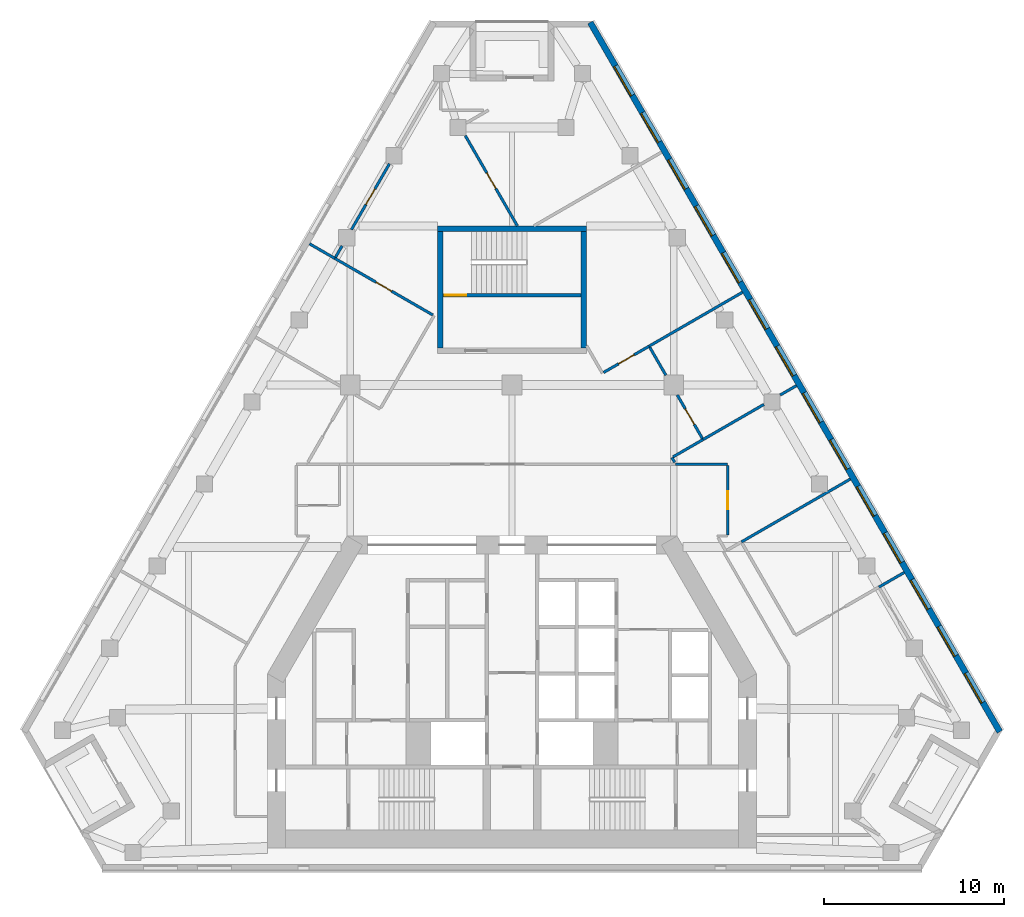
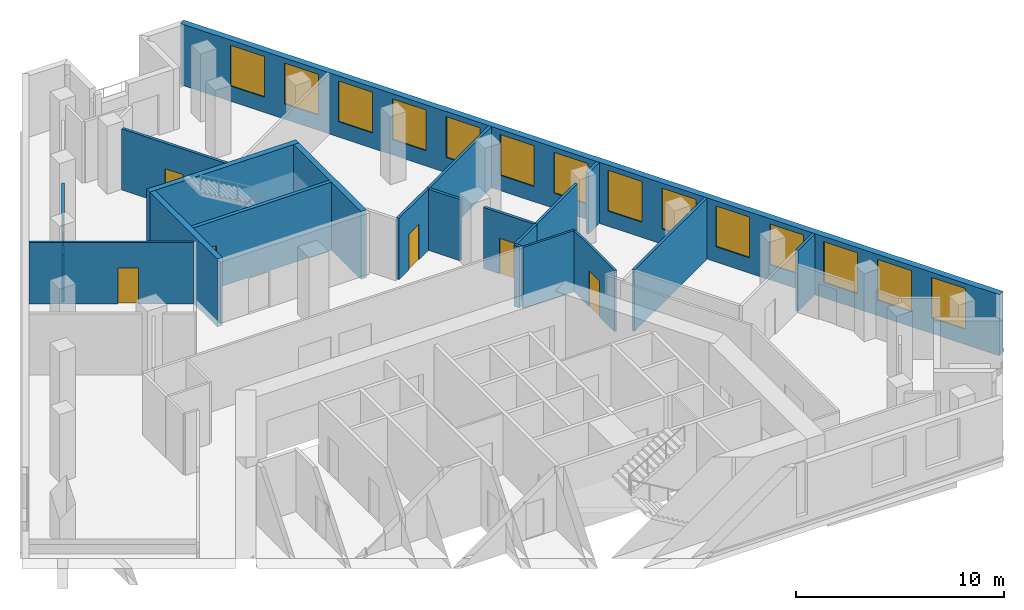
# One storey, part 7 of 9: 22 walls, 14 windows, 7 doors, 21 openings.
"""IFC4 building model written with IfcOpenShell, lengths in metres."""

from ifc_helpers import new_model, si_unit, direction, frame, frame_2d, origin, place, context, subcontext, project, spatial, rectangle, extrude, material, layer, layer_set, type_object, element, fill, save


model = new_model("IFC4")

# Units and contexts
model_context = context("Model", 3, precision=1e-05, world=origin(), true_north=direction((0.0, 1.0)))
body_context = subcontext(model_context, "Body", "Model", "MODEL_VIEW")
ifc_project = project(units=[si_unit("LENGTHUNIT", "METRE"), si_unit("AREAUNIT", "SQUARE_METRE"), si_unit("VOLUMEUNIT", "CUBIC_METRE"), si_unit("PLANEANGLEUNIT", "RADIAN"), si_unit("MASSUNIT", "GRAM", prefix="KILO")], contexts=[model_context])

# Site, building, storey
site_placement = place(None, origin())
site = spatial("IfcSite", under=ifc_project, at=site_placement, CompositionType="ELEMENT")
building_placement = place(site_placement, origin())
building = spatial("IfcBuilding", under=site, at=building_placement, Name="Fogline Exchange Tower", CompositionType="ELEMENT")
storey_placement = place(building_placement, frame((0.0, 0.0, 206.10009765625)))
storey = spatial("IfcBuildingStorey", under=building, at=storey_placement, Name="L46", CompositionType="ELEMENT", Elevation=206.10009765625)

# Wall, opening, door
ifc_material_1 = material(Name="Concrete C40", Category="concrete")
ifc_layer_1 = layer(ifc_material_1, 0.199951171875)
ifc_layer_set_1 = layer_set([ifc_layer_1], Name="CW20R")
wall_type_1 = type_object("IfcWallType", Name="CW20R", PredefinedType="SOLIDWALL", material=ifc_layer_set_1)
wall_1_placement = place(storey_placement, frame((-3.85009765625, 32.007080078125, -0.400146484375), z_axis=(0.0, 0.0, 1.0), x_axis=(1.0, 0.0, 0.0)))
wall_1 = element("IfcWall", 1, at=wall_1_placement, inside=storey, type_object=wall_type_1, Name="Stair enclosure wall ST3", PredefinedType="SOLIDWALL", context=body_context, shape_type="SweptSolid", body=[
    extrude(rectangle(XDim=7.7001953125, YDim=0.199951171875, at=frame_2d((3.85009765625, 0.0))), origin(), (0.0, 0.0, 1.0), 4.0),
])
opening_1_placement = place(wall_1_placement, frame((0.10009765625, 0.0, 0.39990234375)))
opening_1 = element("IfcOpeningElement", 2, at=opening_1_placement, cuts=wall_1, Name="Opening T15-C024", PredefinedType="OPENING", context=body_context, shape_type="SweptSolid", body=[
    extrude(rectangle(XDim=1.199951171875, YDim=2.10009765625, at=frame_2d((0.60009765625, 1.050048828125))), frame((0.0, 0.10986328125, 0.0), z_axis=(0.0, -1.0, 0.0), x_axis=(1.0, 0.0, 0.0)), (0.0, 0.0, 1.0), 0.219970703125),
])
ifc_material_2 = material(Name="Steel and timber fire door", Category="steel")
door_type_1 = type_object("IfcDoorType", Name="D-ST1", OperationType="SINGLE_SWING_LEFT", PredefinedType="DOOR", material=ifc_material_2)
door_1_placement = place(opening_1_placement, origin())
door_1 = element("IfcDoor", 3, at=door_1_placement, inside=storey, type_object=door_type_1, Name="Stair door ST3", OperationType="SINGLE_SWING_LEFT", OverallHeight=2.10009765625, OverallWidth=1.199951171875, PredefinedType="DOOR", context=body_context, shape_type="SweptSolid", body=[
    extrude(rectangle(XDim=1.199951171875, YDim=2.10009765625, at=frame_2d((0.60009765625, 1.050048828125))), frame((0.0, 0.02490234375, 0.0), z_axis=(0.0, -1.0, 0.0), x_axis=(1.0, 0.0, 0.0)), (0.0, 0.0, 1.0), 0.050048828125),
])
fill(opening_1, door_1)

# Walls
ifc_layer_2 = layer(ifc_material_1, 0.300048828125)
ifc_layer_set_2 = layer_set([ifc_layer_2], Name="CW30")
wall_type_2 = type_object("IfcWallType", Name="CW30", PredefinedType="SOLIDWALL", material=ifc_layer_set_2)
wall_2_placement = place(storey_placement, frame((-4.14990234375, 35.70703125, -0.400146484375), z_axis=(0.0, 0.0, 1.0), x_axis=(1.0, 0.0, 0.0)))
element("IfcWall", 4, at=wall_2_placement, inside=storey, type_object=wall_type_2, Name="Stair enclosure wall ST3", PredefinedType="SOLIDWALL", context=body_context, shape_type="SweptSolid", body=[
    extrude(rectangle(XDim=8.2998046875, YDim=0.300048828125, at=frame_2d((4.14990234375, 0.0))), origin(), (0.0, 0.0, 1.0), 4.0),
])
for number, where, z_axis, x_axis, name in (
    (5, (-4.0, 29.056884765625, -0.400146484375), (0.0, 0.0, 1.0), (0.0, 1.0, 0.0), "Stair enclosure wall ST3"),
    (6, (4.0, 29.056884765625, -0.400146484375), (0.0, 0.0, 1.0), (0.0, 1.0, 0.0), "Stair enclosure wall ST3"),
):
    element("IfcWall", number, at=place(storey_placement, frame(where, z_axis=z_axis, x_axis=x_axis)), inside=storey, type_object=wall_type_2, Name=name, PredefinedType="SOLIDWALL", context=body_context, shape_type="SweptSolid", body=[
        extrude(rectangle(XDim=6.5, YDim=0.300048828125, at=frame_2d((3.25, 0.0))), origin(), (0.0, 0.0, 1.0), 4.0),
    ])

# Wall, openings, windows
ifc_material_3 = material(Name="Brick masonry", Category="masonry")
ifc_layer_3 = layer(ifc_material_3, 0.340087890625)
ifc_layer_set_3 = layer_set([ifc_layer_3], Name="FW1")
wall_type_3 = type_object("IfcWallType", Name="FW1", PredefinedType="SOLIDWALL", material=ifc_layer_set_3)
wall_3_placement = place(storey_placement, frame((27.139404296875, 7.709228515625, 0.0), z_axis=(0.0, 0.0, 1.0), x_axis=(-0.500000533701, 0.866025095652, 0.0)))
wall_3 = element("IfcWall", 7, at=wall_3_placement, inside=storey, type_object=wall_type_3, Name="Brick wall L46 E", PredefinedType="SOLIDWALL", context=body_context, shape_type="SweptSolid", body=[
    extrude(rectangle(XDim=45.5732421875, YDim=0.340087890625, at=frame_2d((22.78662109375, 0.0))), origin(), (0.0, 0.0, 1.0), 3.599853515625),
])
opening_2_placement = place(wall_3_placement, frame((1.893310546875, 0.0, 0.89990234375)))
opening_2 = element("IfcOpeningElement", 8, at=opening_2_placement, cuts=wall_3, Name="Opening W1", PredefinedType="OPENING", context=body_context, shape_type="SweptSolid", body=[
    extrude(rectangle(XDim=1.885009765625, YDim=2.39990234375, at=frame_2d((0.9423828125, 1.199951171875))), frame((0.0, 0.18017578125, 0.0), z_axis=(0.0, -1.0, 0.0), x_axis=(1.0, 0.0, 0.0)), (0.0, 0.0, 1.0), 0.360107421875),
])
opening_3_placement = place(wall_3_placement, frame((4.893310546875, 0.0, 0.89990234375)))
opening_3 = element("IfcOpeningElement", 9, at=opening_3_placement, cuts=wall_3, Name="Opening W1", PredefinedType="OPENING", context=body_context, shape_type="SweptSolid", body=[
    extrude(rectangle(XDim=1.885009765625, YDim=2.39990234375, at=frame_2d((0.9423828125, 1.199951171875))), frame((0.0, 0.18017578125, 0.0), z_axis=(0.0, -1.0, 0.0), x_axis=(1.0, 0.0, 0.0)), (0.0, 0.0, 1.0), 0.360107421875),
])
opening_4_placement = place(wall_3_placement, frame((7.893310546875, 0.0, 0.89990234375)))
opening_4 = element("IfcOpeningElement", 10, at=opening_4_placement, cuts=wall_3, Name="Opening W1", PredefinedType="OPENING", context=body_context, shape_type="SweptSolid", body=[
    extrude(rectangle(XDim=1.885009765625, YDim=2.39990234375, at=frame_2d((0.9423828125, 1.199951171875))), frame((0.0, 0.18017578125, 0.0), z_axis=(0.0, -1.0, 0.0), x_axis=(1.0, 0.0, 0.0)), (0.0, 0.0, 1.0), 0.360107421875),
])
opening_5_placement = place(wall_3_placement, frame((10.893310546875, 0.0, 0.89990234375)))
opening_5 = element("IfcOpeningElement", 11, at=opening_5_placement, cuts=wall_3, Name="Opening W1", PredefinedType="OPENING", context=body_context, shape_type="SweptSolid", body=[
    extrude(rectangle(XDim=1.885009765625, YDim=2.39990234375, at=frame_2d((0.9423828125, 1.199951171875))), frame((0.0, 0.18017578125, 0.0), z_axis=(0.0, -1.0, 0.0), x_axis=(1.0, 0.0, 0.0)), (0.0, 0.0, 1.0), 0.360107421875),
])
opening_6_placement = place(wall_3_placement, frame((13.893310546875, 0.0, 0.89990234375)))
opening_6 = element("IfcOpeningElement", 12, at=opening_6_placement, cuts=wall_3, Name="Opening W1", PredefinedType="OPENING", context=body_context, shape_type="SweptSolid", body=[
    extrude(rectangle(XDim=1.885009765625, YDim=2.39990234375, at=frame_2d((0.9423828125, 1.199951171875))), frame((0.0, 0.18017578125, 0.0), z_axis=(0.0, -1.0, 0.0), x_axis=(1.0, 0.0, 0.0)), (0.0, 0.0, 1.0), 0.360107421875),
])
opening_7_placement = place(wall_3_placement, frame((16.893310546875, 0.0, 0.89990234375)))
opening_7 = element("IfcOpeningElement", 13, at=opening_7_placement, cuts=wall_3, Name="Opening W1", PredefinedType="OPENING", context=body_context, shape_type="SweptSolid", body=[
    extrude(rectangle(XDim=1.885009765625, YDim=2.39990234375, at=frame_2d((0.9423828125, 1.199951171875))), frame((0.0, 0.18017578125, 0.0), z_axis=(0.0, -1.0, 0.0), x_axis=(1.0, 0.0, 0.0)), (0.0, 0.0, 1.0), 0.360107421875),
])
opening_8_placement = place(wall_3_placement, frame((19.893310546875, 0.0, 0.89990234375)))
opening_8 = element("IfcOpeningElement", 14, at=opening_8_placement, cuts=wall_3, Name="Opening W1", PredefinedType="OPENING", context=body_context, shape_type="SweptSolid", body=[
    extrude(rectangle(XDim=1.885009765625, YDim=2.39990234375, at=frame_2d((0.9423828125, 1.199951171875))), frame((0.0, 0.18017578125, 0.0), z_axis=(0.0, -1.0, 0.0), x_axis=(1.0, 0.0, 0.0)), (0.0, 0.0, 1.0), 0.360107421875),
])
opening_9_placement = place(wall_3_placement, frame((22.893310546875, 0.0, 0.89990234375)))
opening_9 = element("IfcOpeningElement", 15, at=opening_9_placement, cuts=wall_3, Name="Opening W1", PredefinedType="OPENING", context=body_context, shape_type="SweptSolid", body=[
    extrude(rectangle(XDim=1.885009765625, YDim=2.39990234375, at=frame_2d((0.9423828125, 1.199951171875))), frame((0.0, 0.18017578125, 0.0), z_axis=(0.0, -1.0, 0.0), x_axis=(1.0, 0.0, 0.0)), (0.0, 0.0, 1.0), 0.360107421875),
])
opening_10_placement = place(wall_3_placement, frame((25.893310546875, 0.0, 0.89990234375)))
opening_10 = element("IfcOpeningElement", 16, at=opening_10_placement, cuts=wall_3, Name="Opening W1", PredefinedType="OPENING", context=body_context, shape_type="SweptSolid", body=[
    extrude(rectangle(XDim=1.885009765625, YDim=2.39990234375, at=frame_2d((0.9423828125, 1.199951171875))), frame((0.0, 0.18017578125, 0.0), z_axis=(0.0, -1.0, 0.0), x_axis=(1.0, 0.0, 0.0)), (0.0, 0.0, 1.0), 0.360107421875),
])
opening_11_placement = place(wall_3_placement, frame((28.893310546875, 0.0, 0.89990234375)))
opening_11 = element("IfcOpeningElement", 17, at=opening_11_placement, cuts=wall_3, Name="Opening W1", PredefinedType="OPENING", context=body_context, shape_type="SweptSolid", body=[
    extrude(rectangle(XDim=1.885009765625, YDim=2.39990234375, at=frame_2d((0.9423828125, 1.199951171875))), frame((0.0, 0.18017578125, 0.0), z_axis=(0.0, -1.0, 0.0), x_axis=(1.0, 0.0, 0.0)), (0.0, 0.0, 1.0), 0.360107421875),
])
opening_12_placement = place(wall_3_placement, frame((31.893310546875, 0.0, 0.89990234375)))
opening_12 = element("IfcOpeningElement", 18, at=opening_12_placement, cuts=wall_3, Name="Opening W1", PredefinedType="OPENING", context=body_context, shape_type="SweptSolid", body=[
    extrude(rectangle(XDim=1.885009765625, YDim=2.39990234375, at=frame_2d((0.9423828125, 1.199951171875))), frame((0.0, 0.18017578125, 0.0), z_axis=(0.0, -1.0, 0.0), x_axis=(1.0, 0.0, 0.0)), (0.0, 0.0, 1.0), 0.360107421875),
])
opening_13_placement = place(wall_3_placement, frame((34.893310546875, 0.0, 0.89990234375)))
opening_13 = element("IfcOpeningElement", 19, at=opening_13_placement, cuts=wall_3, Name="Opening W1", PredefinedType="OPENING", context=body_context, shape_type="SweptSolid", body=[
    extrude(rectangle(XDim=1.885009765625, YDim=2.39990234375, at=frame_2d((0.9423828125, 1.199951171875))), frame((0.0, 0.18017578125, 0.0), z_axis=(0.0, -1.0, 0.0), x_axis=(1.0, 0.0, 0.0)), (0.0, 0.0, 1.0), 0.360107421875),
])
opening_14_placement = place(wall_3_placement, frame((37.893310546875, 0.0, 0.89990234375)))
opening_14 = element("IfcOpeningElement", 20, at=opening_14_placement, cuts=wall_3, Name="Opening W1", PredefinedType="OPENING", context=body_context, shape_type="SweptSolid", body=[
    extrude(rectangle(XDim=1.885009765625, YDim=2.39990234375, at=frame_2d((0.9423828125, 1.199951171875))), frame((0.0, 0.18017578125, 0.0), z_axis=(0.0, -1.0, 0.0), x_axis=(1.0, 0.0, 0.0)), (0.0, 0.0, 1.0), 0.360107421875),
])
opening_15_placement = place(wall_3_placement, frame((40.893310546875, 0.0, 0.89990234375)))
opening_15 = element("IfcOpeningElement", 21, at=opening_15_placement, cuts=wall_3, Name="Opening W1", PredefinedType="OPENING", context=body_context, shape_type="SweptSolid", body=[
    extrude(rectangle(XDim=1.885009765625, YDim=2.39990234375, at=frame_2d((0.9423828125, 1.199951171875))), frame((0.0, 0.18017578125, 0.0), z_axis=(0.0, -1.0, 0.0), x_axis=(1.0, 0.0, 0.0)), (0.0, 0.0, 1.0), 0.360107421875),
])
ifc_material_4 = material(Name="Aluminium and glass", Category="aluminium")
window_type = type_object("IfcWindowType", Name="W1", PartitioningType="SINGLE_PANEL", PredefinedType="WINDOW", material=ifc_material_4)
window_1_placement = place(opening_2_placement, origin())
window_1 = element("IfcWindow", 22, at=window_1_placement, inside=storey, type_object=window_type, Name="W1 W1", OverallHeight=2.39990234375, OverallWidth=1.885009765625, PartitioningType="SINGLE_PANEL", PredefinedType="WINDOW", context=body_context, shape_type="SweptSolid", body=[
    extrude(rectangle(XDim=1.885009765625, YDim=2.39990234375, at=frame_2d((0.9423828125, 1.199951171875))), frame((0.0, 0.110107421875, 0.0), z_axis=(0.0, -1.0, 0.0), x_axis=(1.0, 0.0, 0.0)), (0.0, 0.0, 1.0), 0.06005859375),
])
fill(opening_2, window_1)
window_2_placement = place(opening_3_placement, origin())
window_2 = element("IfcWindow", 23, at=window_2_placement, inside=storey, type_object=window_type, Name="W1 W1", OverallHeight=2.39990234375, OverallWidth=1.885009765625, PartitioningType="SINGLE_PANEL", PredefinedType="WINDOW", context=body_context, shape_type="SweptSolid", body=[
    extrude(rectangle(XDim=1.885009765625, YDim=2.39990234375, at=frame_2d((0.9423828125, 1.199951171875))), frame((0.0, 0.110107421875, 0.0), z_axis=(0.0, -1.0, 0.0), x_axis=(1.0, 0.0, 0.0)), (0.0, 0.0, 1.0), 0.06005859375),
])
fill(opening_3, window_2)
window_3_placement = place(opening_4_placement, origin())
window_3 = element("IfcWindow", 24, at=window_3_placement, inside=storey, type_object=window_type, Name="W1 W1", OverallHeight=2.39990234375, OverallWidth=1.885009765625, PartitioningType="SINGLE_PANEL", PredefinedType="WINDOW", context=body_context, shape_type="SweptSolid", body=[
    extrude(rectangle(XDim=1.885009765625, YDim=2.39990234375, at=frame_2d((0.9423828125, 1.199951171875))), frame((0.0, 0.110107421875, 0.0), z_axis=(0.0, -1.0, 0.0), x_axis=(1.0, 0.0, 0.0)), (0.0, 0.0, 1.0), 0.06005859375),
])
fill(opening_4, window_3)
window_4_placement = place(opening_5_placement, origin())
window_4 = element("IfcWindow", 25, at=window_4_placement, inside=storey, type_object=window_type, Name="W1 W1", OverallHeight=2.39990234375, OverallWidth=1.885009765625, PartitioningType="SINGLE_PANEL", PredefinedType="WINDOW", context=body_context, shape_type="SweptSolid", body=[
    extrude(rectangle(XDim=1.885009765625, YDim=2.39990234375, at=frame_2d((0.9423828125, 1.199951171875))), frame((0.0, 0.110107421875, 0.0), z_axis=(0.0, -1.0, 0.0), x_axis=(1.0, 0.0, 0.0)), (0.0, 0.0, 1.0), 0.06005859375),
])
fill(opening_5, window_4)
window_5_placement = place(opening_6_placement, origin())
window_5 = element("IfcWindow", 26, at=window_5_placement, inside=storey, type_object=window_type, Name="W1 W1", OverallHeight=2.39990234375, OverallWidth=1.885009765625, PartitioningType="SINGLE_PANEL", PredefinedType="WINDOW", context=body_context, shape_type="SweptSolid", body=[
    extrude(rectangle(XDim=1.885009765625, YDim=2.39990234375, at=frame_2d((0.9423828125, 1.199951171875))), frame((0.0, 0.110107421875, 0.0), z_axis=(0.0, -1.0, 0.0), x_axis=(1.0, 0.0, 0.0)), (0.0, 0.0, 1.0), 0.06005859375),
])
fill(opening_6, window_5)
window_6_placement = place(opening_7_placement, origin())
window_6 = element("IfcWindow", 27, at=window_6_placement, inside=storey, type_object=window_type, Name="W1 W1", OverallHeight=2.39990234375, OverallWidth=1.885009765625, PartitioningType="SINGLE_PANEL", PredefinedType="WINDOW", context=body_context, shape_type="SweptSolid", body=[
    extrude(rectangle(XDim=1.885009765625, YDim=2.39990234375, at=frame_2d((0.9423828125, 1.199951171875))), frame((0.0, 0.110107421875, 0.0), z_axis=(0.0, -1.0, 0.0), x_axis=(1.0, 0.0, 0.0)), (0.0, 0.0, 1.0), 0.06005859375),
])
fill(opening_7, window_6)
window_7_placement = place(opening_8_placement, origin())
window_7 = element("IfcWindow", 28, at=window_7_placement, inside=storey, type_object=window_type, Name="W1 W1", OverallHeight=2.39990234375, OverallWidth=1.885009765625, PartitioningType="SINGLE_PANEL", PredefinedType="WINDOW", context=body_context, shape_type="SweptSolid", body=[
    extrude(rectangle(XDim=1.885009765625, YDim=2.39990234375, at=frame_2d((0.9423828125, 1.199951171875))), frame((0.0, 0.110107421875, 0.0), z_axis=(0.0, -1.0, 0.0), x_axis=(1.0, 0.0, 0.0)), (0.0, 0.0, 1.0), 0.06005859375),
])
fill(opening_8, window_7)
window_8_placement = place(opening_9_placement, origin())
window_8 = element("IfcWindow", 29, at=window_8_placement, inside=storey, type_object=window_type, Name="W1 W1", OverallHeight=2.39990234375, OverallWidth=1.885009765625, PartitioningType="SINGLE_PANEL", PredefinedType="WINDOW", context=body_context, shape_type="SweptSolid", body=[
    extrude(rectangle(XDim=1.885009765625, YDim=2.39990234375, at=frame_2d((0.9423828125, 1.199951171875))), frame((0.0, 0.110107421875, 0.0), z_axis=(0.0, -1.0, 0.0), x_axis=(1.0, 0.0, 0.0)), (0.0, 0.0, 1.0), 0.06005859375),
])
fill(opening_9, window_8)
window_9_placement = place(opening_10_placement, origin())
window_9 = element("IfcWindow", 30, at=window_9_placement, inside=storey, type_object=window_type, Name="W1 W1", OverallHeight=2.39990234375, OverallWidth=1.885009765625, PartitioningType="SINGLE_PANEL", PredefinedType="WINDOW", context=body_context, shape_type="SweptSolid", body=[
    extrude(rectangle(XDim=1.885009765625, YDim=2.39990234375, at=frame_2d((0.9423828125, 1.199951171875))), frame((0.0, 0.110107421875, 0.0), z_axis=(0.0, -1.0, 0.0), x_axis=(1.0, 0.0, 0.0)), (0.0, 0.0, 1.0), 0.06005859375),
])
fill(opening_10, window_9)
window_10_placement = place(opening_11_placement, origin())
window_10 = element("IfcWindow", 31, at=window_10_placement, inside=storey, type_object=window_type, Name="W1 W1", OverallHeight=2.39990234375, OverallWidth=1.885009765625, PartitioningType="SINGLE_PANEL", PredefinedType="WINDOW", context=body_context, shape_type="SweptSolid", body=[
    extrude(rectangle(XDim=1.885009765625, YDim=2.39990234375, at=frame_2d((0.9423828125, 1.199951171875))), frame((0.0, 0.110107421875, 0.0), z_axis=(0.0, -1.0, 0.0), x_axis=(1.0, 0.0, 0.0)), (0.0, 0.0, 1.0), 0.06005859375),
])
fill(opening_11, window_10)
window_11_placement = place(opening_12_placement, origin())
window_11 = element("IfcWindow", 32, at=window_11_placement, inside=storey, type_object=window_type, Name="W1 W1", OverallHeight=2.39990234375, OverallWidth=1.885009765625, PartitioningType="SINGLE_PANEL", PredefinedType="WINDOW", context=body_context, shape_type="SweptSolid", body=[
    extrude(rectangle(XDim=1.885009765625, YDim=2.39990234375, at=frame_2d((0.9423828125, 1.199951171875))), frame((0.0, 0.110107421875, 0.0), z_axis=(0.0, -1.0, 0.0), x_axis=(1.0, 0.0, 0.0)), (0.0, 0.0, 1.0), 0.06005859375),
])
fill(opening_12, window_11)
window_12_placement = place(opening_13_placement, origin())
window_12 = element("IfcWindow", 33, at=window_12_placement, inside=storey, type_object=window_type, Name="W1 W1", OverallHeight=2.39990234375, OverallWidth=1.885009765625, PartitioningType="SINGLE_PANEL", PredefinedType="WINDOW", context=body_context, shape_type="SweptSolid", body=[
    extrude(rectangle(XDim=1.885009765625, YDim=2.39990234375, at=frame_2d((0.9423828125, 1.199951171875))), frame((0.0, 0.110107421875, 0.0), z_axis=(0.0, -1.0, 0.0), x_axis=(1.0, 0.0, 0.0)), (0.0, 0.0, 1.0), 0.06005859375),
])
fill(opening_13, window_12)
window_13_placement = place(opening_14_placement, origin())
window_13 = element("IfcWindow", 34, at=window_13_placement, inside=storey, type_object=window_type, Name="W1 W1", OverallHeight=2.39990234375, OverallWidth=1.885009765625, PartitioningType="SINGLE_PANEL", PredefinedType="WINDOW", context=body_context, shape_type="SweptSolid", body=[
    extrude(rectangle(XDim=1.885009765625, YDim=2.39990234375, at=frame_2d((0.9423828125, 1.199951171875))), frame((0.0, 0.110107421875, 0.0), z_axis=(0.0, -1.0, 0.0), x_axis=(1.0, 0.0, 0.0)), (0.0, 0.0, 1.0), 0.06005859375),
])
fill(opening_14, window_13)
window_14_placement = place(opening_15_placement, origin())
window_14 = element("IfcWindow", 35, at=window_14_placement, inside=storey, type_object=window_type, Name="W1 W1", OverallHeight=2.39990234375, OverallWidth=1.885009765625, PartitioningType="SINGLE_PANEL", PredefinedType="WINDOW", context=body_context, shape_type="SweptSolid", body=[
    extrude(rectangle(XDim=1.885009765625, YDim=2.39990234375, at=frame_2d((0.9423828125, 1.199951171875))), frame((0.0, 0.110107421875, 0.0), z_axis=(0.0, -1.0, 0.0), x_axis=(1.0, 0.0, 0.0)), (0.0, 0.0, 1.0), 0.06005859375),
])
fill(opening_15, window_14)

# Wall
ifc_material_5 = material(Name="Plasterboard corridor partition with mineral wool, 2 layers each side")
ifc_layer_4 = layer(ifc_material_5, 0.125)
ifc_layer_set_4 = layer_set([ifc_layer_4], Name="PW2")
wall_type_4 = type_object("IfcWallType", Name="PW2", PredefinedType="PARTITIONING", material=ifc_layer_set_4)
wall_4_placement = place(storey_placement, frame((9.108154296875, 22.60009765625, 0.0), z_axis=(0.0, 0.0, 1.0), x_axis=(1.0, 0.0, 0.0)))
element("IfcWall", 36, at=wall_4_placement, inside=storey, type_object=wall_type_4, Name="wall-L46-W004", PredefinedType="PARTITIONING", context=body_context, shape_type="SweptSolid", body=[
    extrude(rectangle(XDim=2.891845703125, YDim=0.125, at=frame_2d((1.44580078125, 0.0))), origin(), (0.0, 0.0, 1.0), 3.599853515625),
])

# Wall, opening, door
wall_5_placement = place(storey_placement, frame((12.0, 22.53759765625, 0.0), z_axis=(0.0, 0.0, 1.0), x_axis=(0.0, -1.0, 0.0)))
wall_5 = element("IfcWall", 37, at=wall_5_placement, inside=storey, type_object=wall_type_4, Name="wall-L46-W005", PredefinedType="PARTITIONING", context=body_context, shape_type="SweptSolid", body=[
    extrude(rectangle(XDim=3.875, YDim=0.125, at=frame_2d((1.9375, 0.0))), origin(), (0.0, 0.0, 1.0), 3.599853515625),
])
opening_16_placement = place(wall_5_placement, frame((1.4375, 0.0, 0.0)))
opening_16 = element("IfcOpeningElement", 38, at=opening_16_placement, cuts=wall_5, Name="Opening T15-D002", PredefinedType="OPENING", context=body_context, shape_type="SweptSolid", body=[
    extrude(rectangle(XDim=1.0, YDim=2.10009765625, at=frame_2d((0.5, 1.050048828125))), frame((0.0, 0.072509765625, 0.0), z_axis=(0.0, -1.0, 0.0), x_axis=(1.0, 0.0, 0.0)), (0.0, 0.0, 1.0), 0.14501953125),
])
ifc_material_6 = material(Name="Fire-rated timber door leaf with steel frame", Category="steel")
door_type_2 = type_object("IfcDoorType", Name="D3", OperationType="SINGLE_SWING_LEFT", PredefinedType="DOOR", material=ifc_material_6)
door_2_placement = place(opening_16_placement, origin())
door_2 = element("IfcDoor", 39, at=door_2_placement, inside=storey, type_object=door_type_2, Name="door-L46-D002", OperationType="SINGLE_SWING_LEFT", OverallHeight=2.10009765625, OverallWidth=1.0, PredefinedType="DOOR", context=body_context, shape_type="SweptSolid", body=[
    extrude(rectangle(XDim=1.0, YDim=2.10009765625, at=frame_2d((0.5, 1.050048828125))), frame((0.0, 0.02490234375, 0.0), z_axis=(0.0, -1.0, 0.0), x_axis=(1.0, 0.0, 0.0)), (0.0, 0.0, 1.0), 0.050048828125),
])
fill(opening_16, door_2)

# Walls
ifc_material_7 = material(Name="Plasterboard demising partition with mineral wool and acoustic board")
ifc_layer_5 = layer(ifc_material_7, 0.14990234375)
ifc_layer_set_5 = layer_set([ifc_layer_5], Name="PW3")
wall_type_5 = type_object("IfcWallType", Name="PW3", PredefinedType="PARTITIONING", material=ifc_layer_set_5)
wall_6_placement = place(storey_placement, frame((10.6279296875, 23.967529296875, 0.0), z_axis=(0.0, 0.0, 1.0), x_axis=(0.866020486807, 0.500008516358, 0.0)))
element("IfcWall", 40, at=wall_6_placement, inside=storey, type_object=wall_type_5, Name="wall-L46-W016", PredefinedType="PARTITIONING", context=body_context, shape_type="SweptSolid", body=[
    extrude(rectangle(XDim=3.91552734375, YDim=0.14990234375, at=frame_2d((1.957763671875, 0.0))), origin(), (0.0, 0.0, 1.0), 3.599853515625),
])
wall_7_placement = place(storey_placement, frame((14.918701171875, 26.44482421875, 0.0), z_axis=(0.0, 0.0, 1.0), x_axis=(0.866065051207, 0.49993132236, 0.0)))
element("IfcWall", 41, at=wall_7_placement, inside=storey, type_object=wall_type_5, Name="wall-L46-W017", PredefinedType="PARTITIONING", context=body_context, shape_type="SweptSolid", body=[
    extrude(rectangle(XDim=1.045654296875, YDim=0.14990234375, at=frame_2d((0.52294921875, 0.0))), origin(), (0.0, 0.0, 1.0), 3.599853515625),
])
wall_8_placement = place(storey_placement, frame((9.05029296875, 22.700439453125, 0.0), z_axis=(0.0, 0.0, 1.0), x_axis=(-0.500224850148, 0.865895547566, 0.0)))
element("IfcWall", 42, at=wall_8_placement, inside=storey, type_object=wall_type_5, Name="wall-L46-W018", PredefinedType="PARTITIONING", context=body_context, shape_type="SweptSolid", body=[
    extrude(rectangle(XDim=0.308349609375, YDim=0.14990234375, at=frame_2d((0.154296875, 0.0))), origin(), (0.0, 0.0, 1.0), 3.599853515625),
])
wall_9_placement = place(storey_placement, frame((8.9609375, 23.005126953125, 0.0), z_axis=(0.0, 0.0, 1.0), x_axis=(0.866033512162, 0.499985955615, 0.0)))
element("IfcWall", 43, at=wall_9_placement, inside=storey, type_object=wall_type_5, Name="wall-L46-W019", PredefinedType="PARTITIONING", context=body_context, shape_type="SweptSolid", body=[
    extrude(rectangle(XDim=1.9248046875, YDim=0.14990234375, at=frame_2d((0.96240234375, 0.0))), origin(), (0.0, 0.0, 1.0), 3.599853515625),
])
wall_10_placement = place(storey_placement, frame((18.82421875, 21.771484375, 0.0), z_axis=(0.0, 0.0, 1.0), x_axis=(-0.866028190633, -0.499995173006, 0.0)))
element("IfcWall", 44, at=wall_10_placement, inside=storey, type_object=wall_type_5, Name="wall-L46-W022", PredefinedType="PARTITIONING", context=body_context, shape_type="SweptSolid", body=[
    extrude(rectangle(XDim=7.0, YDim=0.14990234375, at=frame_2d((3.5, 0.0))), origin(), (0.0, 0.0, 1.0), 3.599853515625),
])
wall_11_placement = place(storey_placement, frame((7.6279296875, 29.163818359375, 0.0), z_axis=(0.0, 0.0, 1.0), x_axis=(0.866031096941, 0.499990139034, 0.0)))
element("IfcWall", 45, at=wall_11_placement, inside=storey, type_object=wall_type_5, Name="wall-L46-W023", PredefinedType="PARTITIONING", context=body_context, shape_type="SweptSolid", body=[
    extrude(rectangle(XDim=6.0, YDim=0.14990234375, at=frame_2d((3.0, 0.0))), origin(), (0.0, 0.0, 1.0), 3.599853515625),
])

# Wall, opening, door
wall_12_placement = place(storey_placement, frame((10.590576171875, 24.03271484375, 0.0), z_axis=(0.0, 0.0, 1.0), x_axis=(-0.500042966044, 0.866000595906, 0.0)))
wall_12 = element("IfcWall", 46, at=wall_12_placement, inside=storey, type_object=wall_type_5, Name="wall-L46-W024", PredefinedType="PARTITIONING", context=body_context, shape_type="SweptSolid", body=[
    extrude(rectangle(XDim=2.791259765625, YDim=0.14990234375, at=frame_2d((1.3955078125, 0.0))), origin(), (0.0, 0.0, 1.0), 3.599853515625),
])
opening_17_placement = place(wall_12_placement, frame((0.895751953125, 0.0, 0.0)))
opening_17 = element("IfcOpeningElement", 47, at=opening_17_placement, cuts=wall_12, Name="Opening T15-D007", PredefinedType="OPENING", context=body_context, shape_type="SweptSolid", body=[
    extrude(rectangle(XDim=1.0, YDim=2.10009765625, at=frame_2d((0.5, 1.050048828125))), frame((0.0, 0.0849609375, 0.0), z_axis=(0.0, -1.0, 0.0), x_axis=(1.0, 0.0, 0.0)), (0.0, 0.0, 1.0), 0.169921875),
])
door_3_placement = place(opening_17_placement, frame((1.0, 0.0, 0.0), z_axis=(0.0, 0.0, 1.0), x_axis=(-1.0, 0.0, 0.0)))
door_3 = element("IfcDoor", 48, at=door_3_placement, inside=storey, type_object=door_type_2, Name="door-L46-D007", OperationType="SINGLE_SWING_RIGHT", OverallHeight=2.10009765625, OverallWidth=1.0, PredefinedType="DOOR", context=body_context, shape_type="SweptSolid", body=[
    extrude(rectangle(XDim=1.0, YDim=2.10009765625, at=frame_2d((0.5, 1.050048828125))), frame((0.0, 0.02490234375, 0.0), z_axis=(0.0, -1.0, 0.0), x_axis=(1.0, 0.0, 0.0)), (0.0, 0.0, 1.0), 0.050048828125),
])
fill(opening_17, door_3)

# Wall
wall_13_placement = place(storey_placement, frame((8.559814453125, 27.550048828125, 0.0), z_axis=(0.0, 0.0, 1.0), x_axis=(-0.500088797182, 0.865974130637, 0.0)))
element("IfcWall", 49, at=wall_13_placement, inside=storey, type_object=wall_type_5, Name="wall-L46-W025", PredefinedType="PARTITIONING", context=body_context, shape_type="SweptSolid", body=[
    extrude(rectangle(XDim=1.788330078125, YDim=0.14990234375, at=frame_2d((0.89404296875, 0.0))), origin(), (0.0, 0.0, 1.0), 3.599853515625),
])

# Wall, opening, door
wall_14_placement = place(storey_placement, frame((7.6279296875, 29.163818359375, 0.0), z_axis=(0.0, 0.0, 1.0), x_axis=(-0.865989585315, -0.500062034277, 0.0)))
wall_14 = element("IfcWall", 50, at=wall_14_placement, inside=storey, type_object=wall_type_5, Name="wall-L46-W027", PredefinedType="PARTITIONING", context=body_context, shape_type="SweptSolid", body=[
    extrude(rectangle(XDim=2.925048828125, YDim=0.14990234375, at=frame_2d((1.46240234375, 0.0))), origin(), (0.0, 0.0, 1.0), 3.599853515625),
])
opening_18_placement = place(wall_14_placement, frame((0.96240234375, 0.0, 0.0)))
opening_18 = element("IfcOpeningElement", 51, at=opening_18_placement, cuts=wall_14, Name="Opening T15-D008", PredefinedType="OPENING", context=body_context, shape_type="SweptSolid", body=[
    extrude(rectangle(XDim=1.0, YDim=2.10009765625, at=frame_2d((0.5, 1.050048828125))), frame((0.0, 0.0849609375, 0.0), z_axis=(0.0, -1.0, 0.0), x_axis=(1.0, 0.0, 0.0)), (0.0, 0.0, 1.0), 0.169921875),
])
door_4_placement = place(opening_18_placement, frame((1.0, 0.0, 0.0), z_axis=(0.0, 0.0, 1.0), x_axis=(-1.0, 0.0, 0.0)))
door_4 = element("IfcDoor", 52, at=door_4_placement, inside=storey, type_object=door_type_2, Name="door-L46-D008", OperationType="SINGLE_SWING_RIGHT", OverallHeight=2.10009765625, OverallWidth=1.0, PredefinedType="DOOR", context=body_context, shape_type="SweptSolid", body=[
    extrude(rectangle(XDim=1.0, YDim=2.10009765625, at=frame_2d((0.5, 1.050048828125))), frame((0.0, 0.02490234375, 0.0), z_axis=(0.0, -1.0, 0.0), x_axis=(1.0, 0.0, 0.0)), (0.0, 0.0, 1.0), 0.050048828125),
])
fill(opening_18, door_4)

wall_15_placement = place(storey_placement, frame((0.299560546875, 35.85693359375, 0.0), z_axis=(0.0, 0.0, 1.0), x_axis=(-0.499971603551, 0.866041797861, 0.0)))
wall_15 = element("IfcWall", 53, at=wall_15_placement, inside=storey, type_object=wall_type_5, Name="wall-L46-W029", PredefinedType="PARTITIONING", context=body_context, shape_type="SweptSolid", body=[
    extrude(rectangle(XDim=5.796142578125, YDim=0.14990234375, at=frame_2d((2.89794921875, 0.0))), origin(), (0.0, 0.0, 1.0), 3.599853515625),
])
opening_19_placement = place(wall_15_placement, frame((2.398193359375, 0.0, 0.0)))
opening_19 = element("IfcOpeningElement", 54, at=opening_19_placement, cuts=wall_15, Name="Opening T15-D009", PredefinedType="OPENING", context=body_context, shape_type="SweptSolid", body=[
    extrude(rectangle(XDim=1.0, YDim=2.10009765625, at=frame_2d((0.5, 1.050048828125))), frame((0.0, 0.0849609375, 0.0), z_axis=(0.0, -1.0, 0.0), x_axis=(1.0, 0.0, 0.0)), (0.0, 0.0, 1.0), 0.169921875),
])
door_5_placement = place(opening_19_placement, frame((1.0, 0.0, 0.0), z_axis=(0.0, 0.0, 1.0), x_axis=(-1.0, 0.0, 0.0)))
door_5 = element("IfcDoor", 55, at=door_5_placement, inside=storey, type_object=door_type_2, Name="door-L46-D009", OperationType="SINGLE_SWING_RIGHT", OverallHeight=2.10009765625, OverallWidth=1.0, PredefinedType="DOOR", context=body_context, shape_type="SweptSolid", body=[
    extrude(rectangle(XDim=1.0, YDim=2.10009765625, at=frame_2d((0.5, 1.050048828125))), frame((0.0, 0.02490234375, 0.0), z_axis=(0.0, -1.0, 0.0), x_axis=(1.0, 0.0, 0.0)), (0.0, 0.0, 1.0), 0.050048828125),
])
fill(opening_19, door_5)

# Wall
wall_16_placement = place(storey_placement, frame((-9.819580078125, 34.112548828125, 0.0), z_axis=(0.0, 0.0, 1.0), x_axis=(0.500031897912, 0.866006986733, 0.0)))
element("IfcWall", 56, at=wall_16_placement, inside=storey, type_object=wall_type_5, Name="wall-L46-W031", PredefinedType="PARTITIONING", context=body_context, shape_type="SweptSolid", body=[
    extrude(rectangle(XDim=0.728515625, YDim=0.14990234375, at=frame_2d((0.3642578125, 0.0))), origin(), (0.0, 0.0, 1.0), 2.7998046875),
])

# Wall, opening, door
wall_17_placement = place(storey_placement, frame((-8.935791015625, 35.6435546875, 0.0), z_axis=(0.0, 0.0, 1.0), x_axis=(0.500015295222, 0.866016572904, 0.0)))
wall_17 = element("IfcWall", 57, at=wall_17_placement, inside=storey, type_object=wall_type_5, Name="wall-L46-W032", PredefinedType="PARTITIONING", context=body_context, shape_type="SweptSolid", body=[
    extrude(rectangle(XDim=4.233642578125, YDim=0.14990234375, at=frame_2d((2.11669921875, 0.0))), origin(), (0.0, 0.0, 1.0), 2.7998046875),
])
opening_20_placement = place(wall_17_placement, frame((1.616943359375, 0.0, 0.0)))
opening_20 = element("IfcOpeningElement", 58, at=opening_20_placement, cuts=wall_17, Name="Opening T15-D010", PredefinedType="OPENING", context=body_context, shape_type="SweptSolid", body=[
    extrude(rectangle(XDim=1.0, YDim=2.10009765625, at=frame_2d((0.5, 1.050048828125))), frame((0.0, 0.0849609375, 0.0), z_axis=(0.0, -1.0, 0.0), x_axis=(1.0, 0.0, 0.0)), (0.0, 0.0, 1.0), 0.169921875),
])
door_6_placement = place(opening_20_placement, origin())
door_6 = element("IfcDoor", 59, at=door_6_placement, inside=storey, type_object=door_type_2, Name="door-L46-D010", OperationType="SINGLE_SWING_LEFT", OverallHeight=2.10009765625, OverallWidth=1.0, PredefinedType="DOOR", context=body_context, shape_type="SweptSolid", body=[
    extrude(rectangle(XDim=1.0, YDim=2.10009765625, at=frame_2d((0.5, 1.050048828125))), frame((0.0, 0.02490234375, 0.0), z_axis=(0.0, -1.0, 0.0), x_axis=(1.0, 0.0, 0.0)), (0.0, 0.0, 1.0), 0.050048828125),
])
fill(opening_20, door_6)

wall_18_placement = place(storey_placement, frame((-4.403564453125, 30.89892578125, 0.0), z_axis=(0.0, 0.0, 1.0), x_axis=(-0.866022890907, 0.500004352405, 0.0)))
wall_18 = element("IfcWall", 60, at=wall_18_placement, inside=storey, type_object=wall_type_5, Name="wall-L46-W038", PredefinedType="PARTITIONING", context=body_context, shape_type="SweptSolid", body=[
    extrude(rectangle(XDim=6.29736328125, YDim=0.14990234375, at=frame_2d((3.148681640625, 0.0))), origin(), (0.0, 0.0, 1.0), 3.599853515625),
])
opening_21_placement = place(wall_18_placement, frame((2.648681640625, 0.0, 0.0)))
opening_21 = element("IfcOpeningElement", 61, at=opening_21_placement, cuts=wall_18, Name="Opening T15-D011", PredefinedType="OPENING", context=body_context, shape_type="SweptSolid", body=[
    extrude(rectangle(XDim=1.0, YDim=2.10009765625, at=frame_2d((0.5, 1.050048828125))), frame((0.0, 0.0849609375, 0.0), z_axis=(0.0, -1.0, 0.0), x_axis=(1.0, 0.0, 0.0)), (0.0, 0.0, 1.0), 0.169921875),
])
door_7_placement = place(opening_21_placement, origin())
door_7 = element("IfcDoor", 62, at=door_7_placement, inside=storey, type_object=door_type_2, Name="door-L46-D011", OperationType="SINGLE_SWING_LEFT", OverallHeight=2.10009765625, OverallWidth=1.0, PredefinedType="DOOR", context=body_context, shape_type="SweptSolid", body=[
    extrude(rectangle(XDim=1.0, YDim=2.10009765625, at=frame_2d((0.5, 1.050048828125))), frame((0.0, 0.02490234375, 0.0), z_axis=(0.0, -1.0, 0.0), x_axis=(1.0, 0.0, 0.0)), (0.0, 0.0, 1.0), 0.050048828125),
])
fill(opening_21, door_7)

# Walls
for number, where, z_axis, x_axis, name in (
    (63, (-9.857177734375, 34.047607421875, 0.0), (0.0, 0.0, 1.0), (-0.866028203713, 0.499995150351, 0.0), "wall-L46-W041"),
    (64, (20.414794921875, 15.761474609375, 0.0), (0.0, 0.0, 1.0), (0.866028203713, 0.499995150351, 0.0), "wall-L46-W054"),
):
    element("IfcWall", number, at=place(storey_placement, frame(where, z_axis=z_axis, x_axis=x_axis)), inside=storey, type_object=wall_type_5, Name=name, PredefinedType="PARTITIONING", context=body_context, shape_type="SweptSolid", body=[
        extrude(rectangle(XDim=1.62744140625, YDim=0.14990234375, at=frame_2d((0.813720703125, 0.0))), origin(), (0.0, 0.0, 1.0), 3.599853515625),
    ])

save(model, "model.ifc")
